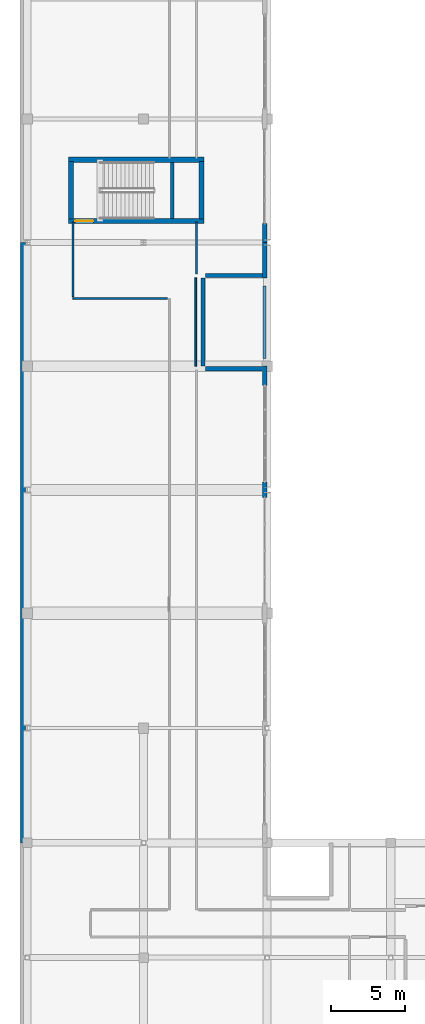
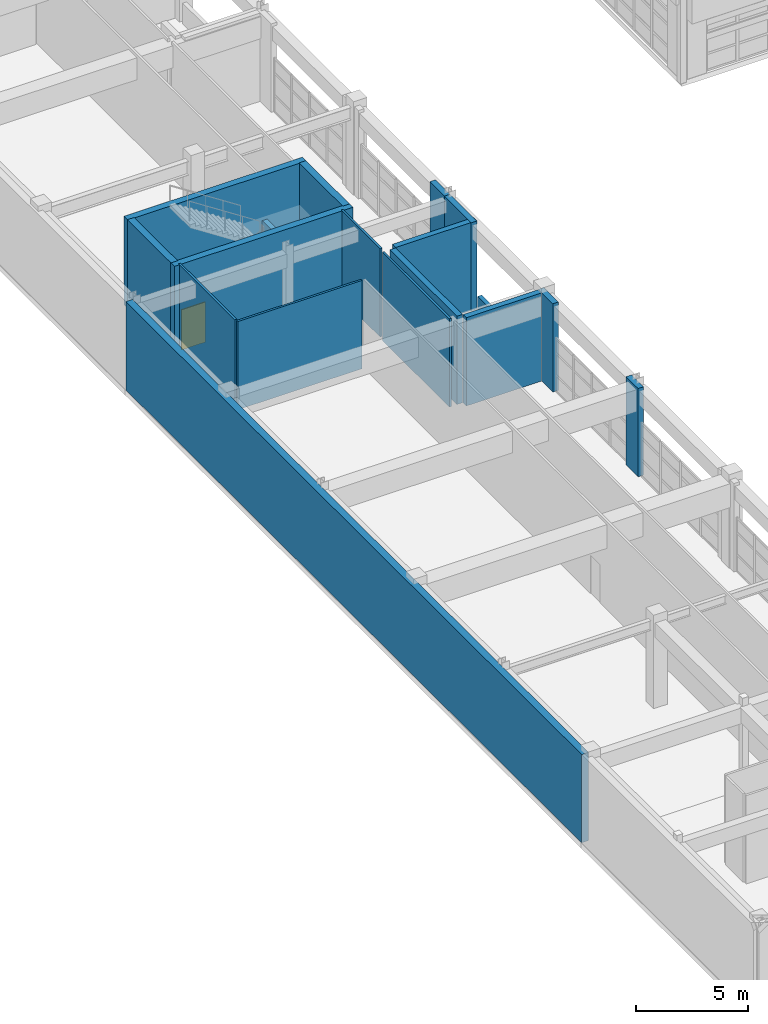
# One storey, part 86 of 103: 18 walls, 1 door, 1 opening.
"""IFC4 building model written with IfcOpenShell, lengths in metres."""

from ifc_helpers import new_model, si_unit, direction, frame, frame_2d, origin, place, context, subcontext, project, spatial, rectangle, extrude, material, layer, layer_set, type_object, element, fill, save


model = new_model("IFC4")

# Units and contexts
model_context = context("Model", 3, precision=1e-05, world=origin(), true_north=direction((0.0, 1.0)))
body_context = subcontext(model_context, "Body", "Model", "MODEL_VIEW")
ifc_project = project(units=[si_unit("LENGTHUNIT", "METRE"), si_unit("AREAUNIT", "SQUARE_METRE"), si_unit("VOLUMEUNIT", "CUBIC_METRE"), si_unit("PLANEANGLEUNIT", "RADIAN"), si_unit("MASSUNIT", "GRAM", prefix="KILO")], contexts=[model_context])

# Site, building, storey
site_placement = place(None, origin())
site = spatial("IfcSite", under=ifc_project, at=site_placement, CompositionType="ELEMENT")
building_placement = place(site_placement, origin())
building = spatial("IfcBuilding", under=site, at=building_placement, Name="Quendrovan Civic Courthouse", CompositionType="ELEMENT")
storey_placement = place(building_placement, frame((0.0, 0.0, 15.300048828125)))
storey = spatial("IfcBuildingStorey", under=building, at=storey_placement, Name="L04", CompositionType="ELEMENT", Elevation=15.300048828125)

# Wall, opening, door
ifc_material_1 = material(Name="Concrete C45/55", Category="concrete")
ifc_layer_1 = layer(ifc_material_1, 0.35009765625, Name="Concrete C45/55")
ifc_layer_set_1 = layer_set([ifc_layer_1], Name="Concrete C45/55")
wall_type_1 = type_object("IfcWallType", Name="WL-CORE-350", PredefinedType="SHEAR", material=ifc_layer_set_1)
wall_1_placement = place(storey_placement, frame((3.2900390625, 57.864990234375, 0.0), z_axis=(0.0, 0.0, 1.0), x_axis=(1.0, 0.0, 0.0)))
wall_1 = element("IfcWall", 1, at=wall_1_placement, inside=storey, type_object=wall_type_1, Name="L04 Core Shear Wall ST4-S", PredefinedType="SHEAR", context=body_context, shape_type="SweptSolid", body=[
    extrude(rectangle(XDim=9.219970703125, YDim=0.35009765625, at=frame_2d((4.60986328125, 0.0))), origin(), (0.0, 0.0, 1.0), 4.820068359375),
])
opening_placement = place(wall_1_placement, frame((0.449951171875, 0.0, 0.0)))
opening = element("IfcOpeningElement", 2, at=opening_placement, cuts=wall_1, Name="Opening DS-ST4-L04", PredefinedType="OPENING", context=body_context, shape_type="SweptSolid", body=[
    extrude(rectangle(XDim=1.25, YDim=2.199951171875, at=frame_2d((0.625, 1.10009765625))), frame((0.0, 0.18505859375, 0.0), z_axis=(0.0, -1.0, 0.0), x_axis=(1.0, 0.0, 0.0)), (0.0, 0.0, 1.0), 0.3701171875),
])
ifc_material_2 = material(Name="Painted galvanized hollow-metal steel", Category="steel")
door_type = type_object("IfcDoorType", Name="DR-STAIR-1250", OperationType="NOTDEFINED", PredefinedType="DOOR", material=ifc_material_2)
door_placement = place(opening_placement, origin())
door = element("IfcDoor", 3, at=door_placement, inside=storey, type_object=door_type, Name="L04 Exit Stair ST4 Fire Door", OperationType="SINGLE_SWING_LEFT", OverallHeight=2.199951171875, OverallWidth=1.25, PredefinedType="DOOR", context=body_context, shape_type="SweptSolid", body=[
    extrude(rectangle(XDim=1.25, YDim=2.199951171875, at=frame_2d((0.625, 1.10009765625))), frame((0.0, 0.02490234375, 0.0), z_axis=(0.0, -1.0, 0.0), x_axis=(1.0, 0.0, 0.0)), (0.0, 0.0, 1.0), 0.050048828125),
])
fill(opening, door)

# Walls
wall_2_placement = place(storey_placement, frame((12.510009765625, 62.034912109375, 0.0), z_axis=(0.0, 0.0, 1.0), x_axis=(-1.0, 0.0, 0.0)))
element("IfcWall", 4, at=wall_2_placement, inside=storey, type_object=wall_type_1, Name="L04 Core Shear Wall ST4-N", PredefinedType="SHEAR", context=body_context, shape_type="SweptSolid", body=[
    extrude(rectangle(XDim=9.219970703125, YDim=0.35009765625, at=frame_2d((4.60986328125, 0.0))), origin(), (0.0, 0.0, 1.0), 4.820068359375),
])
for number, where, z_axis, x_axis, name in (
    (5, (3.465087890625, 58.0, 0.0), (0.0, 0.0, 1.0), (0.0, 1.0, 0.0), "L04 Core Shear Wall ST4-W"),
    (6, (12.3349609375, 61.89990234375, 0.0), (0.0, 0.0, 1.0), (0.0, -1.0, 0.0), "L04 Core Shear Wall ST4-E"),
):
    element("IfcWall", number, at=place(storey_placement, frame(where, z_axis=z_axis, x_axis=x_axis)), inside=storey, type_object=wall_type_1, Name=name, PredefinedType="SHEAR", context=body_context, shape_type="SweptSolid", body=[
        extrude(rectangle(XDim=3.89990234375, YDim=0.35009765625, at=frame_2d((1.949951171875, 0.0))), origin(), (0.0, 0.0, 1.0), 4.820068359375),
    ])
ifc_material_3 = material(Name="Precast concrete C45/55", Category="concrete")
ifc_layer_2 = layer(ifc_material_3, 0.2900390625, Name="Precast concrete C45/55")
ifc_layer_set_2 = layer_set([ifc_layer_2], Name="Precast concrete C45/55")
wall_type_2 = type_object("IfcWallType", Name="WL-EXT-PC290", PredefinedType="SOLIDWALL", material=ifc_layer_set_2)
wall_3_placement = place(storey_placement, frame((16.635009765625, 57.699951171875, 0.0), z_axis=(0.0, 0.0, 1.0), x_axis=(0.0, -1.0, 0.0)))
element("IfcWall", 7, at=wall_3_placement, inside=storey, type_object=wall_type_2, Name="L04 Exterior Pier Wall 339", PredefinedType="SOLIDWALL", context=body_context, shape_type="SweptSolid", body=[
    extrude(rectangle(XDim=1.300048828125, YDim=0.2900390625, at=frame_2d((0.64990234375, 0.0))), origin(), (0.0, 0.0, 1.0), 4.820068359375),
])
wall_4_placement = place(storey_placement, frame((16.635009765625, 56.39990234375, 0.0), z_axis=(0.0, 0.0, 1.0), x_axis=(0.0, -1.0, 0.0)))
element("IfcWall", 8, at=wall_4_placement, inside=storey, type_object=wall_type_2, Name="L04 Exterior Civic Portal Wall 340", PredefinedType="SOLIDWALL", context=body_context, shape_type="SweptSolid", body=[
    extrude(rectangle(XDim=2.39990234375, YDim=0.2900390625, at=frame_2d((1.199951171875, 0.0))), origin(), (0.0, 0.0, 1.0), 4.820068359375),
])
wall_5_placement = place(storey_placement, frame((16.800048828125, 54.1650390625, 0.0), z_axis=(0.0, 0.0, 1.0), x_axis=(-1.0, 0.0, 0.0)))
element("IfcWall", 9, at=wall_5_placement, inside=storey, type_object=wall_type_2, Name="L04 Exterior Civic Portal Wall 341", PredefinedType="SOLIDWALL", context=body_context, shape_type="SweptSolid", body=[
    extrude(rectangle(XDim=4.199951171875, YDim=0.2900390625, at=frame_2d((2.10009765625, 0.0))), origin(), (0.0, 0.0, 1.0), 4.820068359375),
])
wall_6_placement = place(storey_placement, frame((12.43505859375, 54.0, 0.0), z_axis=(0.0, 0.0, 1.0), x_axis=(0.0, -1.0, 0.0)))
element("IfcWall", 10, at=wall_6_placement, inside=storey, type_object=wall_type_2, Name="L04 Exterior Civic Portal Wall 342", PredefinedType="SOLIDWALL", context=body_context, shape_type="SweptSolid", body=[
    extrude(rectangle(XDim=6.0, YDim=0.2900390625, at=frame_2d((3.0, 0.0))), origin(), (0.0, 0.0, 1.0), 4.820068359375),
])
wall_7_placement = place(storey_placement, frame((12.60009765625, 47.8349609375, 0.0), z_axis=(0.0, 0.0, 1.0), x_axis=(1.0, 0.0, 0.0)))
element("IfcWall", 11, at=wall_7_placement, inside=storey, type_object=wall_type_2, Name="L04 Exterior Civic Portal Wall 343", PredefinedType="SOLIDWALL", context=body_context, shape_type="SweptSolid", body=[
    extrude(rectangle(XDim=4.199951171875, YDim=0.2900390625, at=frame_2d((2.10009765625, 0.0))), origin(), (0.0, 0.0, 1.0), 4.820068359375),
])
wall_8_placement = place(storey_placement, frame((16.635009765625, 48.0, 0.0), z_axis=(0.0, 0.0, 1.0), x_axis=(0.0, -1.0, 0.0)))
element("IfcWall", 12, at=wall_8_placement, inside=storey, type_object=wall_type_2, Name="L04 Exterior Pier Wall 344", PredefinedType="SOLIDWALL", context=body_context, shape_type="SweptSolid", body=[
    extrude(rectangle(XDim=1.300048828125, YDim=0.2900390625, at=frame_2d((0.64990234375, 0.0))), origin(), (0.0, 0.0, 1.0), 4.820068359375),
])
wall_9_placement = place(storey_placement, frame((16.635009765625, 40.136962890625, 0.0), z_axis=(0.0, 0.0, 1.0), x_axis=(0.0, -1.0, 0.0)))
element("IfcWall", 13, at=wall_9_placement, inside=storey, type_object=wall_type_2, Name="L04 Exterior Pier Wall 345", PredefinedType="SOLIDWALL", context=body_context, shape_type="SweptSolid", body=[
    extrude(rectangle(XDim=1.073974609375, YDim=0.2900390625, at=frame_2d((0.537109375, 0.0))), origin(), (0.0, 0.0, 1.0), 4.820068359375),
])
ifc_layer_3 = layer(ifc_material_3, 0.2099609375, Name="Precast concrete C45/55")
ifc_layer_set_3 = layer_set([ifc_layer_3], Name="Precast concrete C45/55")
wall_type_3 = type_object("IfcWallType", Name="WL-PARAPET-210", PredefinedType="PARAPET", material=ifc_layer_set_3)
wall_10_placement = place(storey_placement, frame((16.6201171875, 53.4599609375, 0.0), z_axis=(0.0, 0.0, 1.0), x_axis=(0.0, -1.0, 0.0)))
element("IfcWall", 14, at=wall_10_placement, inside=storey, type_object=wall_type_3, Name="L04 Precast Roof Parapet Wall 44", PredefinedType="PARAPET", context=body_context, shape_type="SweptSolid", body=[
    extrude(rectangle(XDim=4.919921875, YDim=0.2099609375, at=frame_2d((2.4599609375, 0.0))), origin(), (0.0, 0.0, 1.0), 1.119873046875),
])
ifc_material_4 = material(Name="Concrete C40/50", Category="concrete")
ifc_layer_4 = layer(ifc_material_4, 0.360107421875, Name="Concrete C40/50")
ifc_layer_set_4 = layer_set([ifc_layer_4], Name="Concrete C40/50")
wall_type_4 = type_object("IfcWallType", Name="WL-PARTY-360", PredefinedType="SOLIDWALL", material=ifc_layer_set_4)
wall_11_placement = place(storey_placement, frame((0.2099609375, 15.60009765625, 0.0), z_axis=(0.0, 0.0, 1.0), x_axis=(0.0, 1.0, 0.0)))
element("IfcWall", 15, at=wall_11_placement, inside=storey, type_object=wall_type_4, Name="L04 Fire-Rated Boundary Party Wall 360", PredefinedType="SOLIDWALL", context=body_context, shape_type="SweptSolid", body=[
    extrude(rectangle(XDim=40.7998046875, YDim=0.360107421875, at=frame_2d((20.39990234375, 0.0))), origin(), (0.0, 0.0, 1.0), 4.820068359375),
])
ifc_layer_5 = layer(ifc_material_1, 0.25, Name="Concrete C45/55")
ifc_layer_set_5 = layer_set([ifc_layer_5], Name="Concrete C45/55")
wall_type_5 = type_object("IfcWallType", Name="WL-SHAFT-250", PredefinedType="SHEAR", material=ifc_layer_set_5)
wall_12_placement = place(storey_placement, frame((10.35009765625, 58.050048828125, 0.0), z_axis=(0.0, 0.0, 1.0), x_axis=(0.0, 1.0, 0.0)))
element("IfcWall", 16, at=wall_12_placement, inside=storey, type_object=wall_type_5, Name="L04 Stair ST4 Mid-Landing Bearing Wall", PredefinedType="SHEAR", context=body_context, shape_type="SweptSolid", body=[
    extrude(rectangle(XDim=3.800048828125, YDim=0.25, at=frame_2d((1.89990234375, 0.0))), origin(), (0.0, 0.0, 1.0), 2.369873046875),
])
ifc_material_5 = material(Name="Moisture-resistant tile-backer partition")
ifc_layer_6 = layer(ifc_material_5, 0.110107421875, Name="Moisture-resistant tile-backer partition")
ifc_layer_set_6 = layer_set([ifc_layer_6], Name="Moisture-resistant tile-backer partition")
wall_type_6 = type_object("IfcWallType", Name="WL-WET-110", PredefinedType="PARTITIONING", material=ifc_layer_set_6)
wall_13_placement = place(storey_placement, frame((3.60009765625, 52.60009765625, 0.0), z_axis=(0.0, 0.0, 1.0), x_axis=(1.0, 0.0, 0.0)))
element("IfcWall", 17, at=wall_13_placement, inside=storey, type_object=wall_type_6, Name="L04 Judicial Law Clerks Office Partition 0587", PredefinedType="PARTITIONING", context=body_context, shape_type="SweptSolid", body=[
    extrude(rectangle(XDim=6.414794921875, YDim=0.110107421875, at=frame_2d((3.20751953125, 0.0))), origin(), (0.0, 0.0, 1.0), 4.820068359375),
])
wall_14_placement = place(storey_placement, frame((11.949951171875, 48.0, 0.0), z_axis=(0.0, 0.0, 1.0), x_axis=(0.0, 1.0, 0.0)))
element("IfcWall", 18, at=wall_14_placement, inside=storey, type_object=wall_type_6, Name="L04 Judicial Law Clerks Office Partition 0591", PredefinedType="PARTITIONING", context=body_context, shape_type="SweptSolid", body=[
    extrude(rectangle(XDim=6.0, YDim=0.110107421875, at=frame_2d((3.0, 0.0))), origin(), (0.0, 0.0, 1.0), 4.820068359375),
])
wall_15_placement = place(storey_placement, frame((3.60009765625, 57.780029296875, 0.0), z_axis=(0.0, 0.0, 1.0), x_axis=(0.0, -1.0, 0.0)))
element("IfcWall", 19, at=wall_15_placement, inside=storey, type_object=wall_type_6, Name="L04 Judicial Law Clerks Office Partition 0596", PredefinedType="PARTITIONING", context=body_context, shape_type="SweptSolid", body=[
    extrude(rectangle(XDim=5.044921875, YDim=0.110107421875, at=frame_2d((2.5224609375, 0.0))), origin(), (0.0, 0.0, 1.0), 4.820068359375),
])
wall_16_placement = place(storey_placement, frame((12.0, 54.280029296875, 0.0), z_axis=(0.0, 0.0, 1.0), x_axis=(0.0, 1.0, 0.0)))
element("IfcWall", 20, at=wall_16_placement, inside=storey, type_object=wall_type_6, Name="L04 Judicial Law Clerks Office Partition 0615", PredefinedType="PARTITIONING", context=body_context, shape_type="SweptSolid", body=[
    extrude(rectangle(XDim=3.5, YDim=0.110107421875, at=frame_2d((1.75, 0.0))), origin(), (0.0, 0.0, 1.0), 4.820068359375),
])

save(model, "model.ifc")
